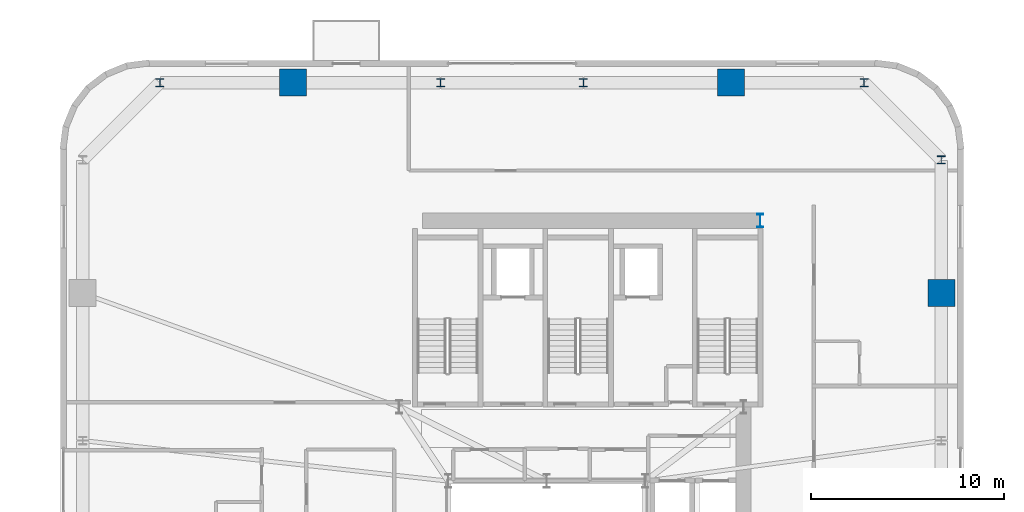
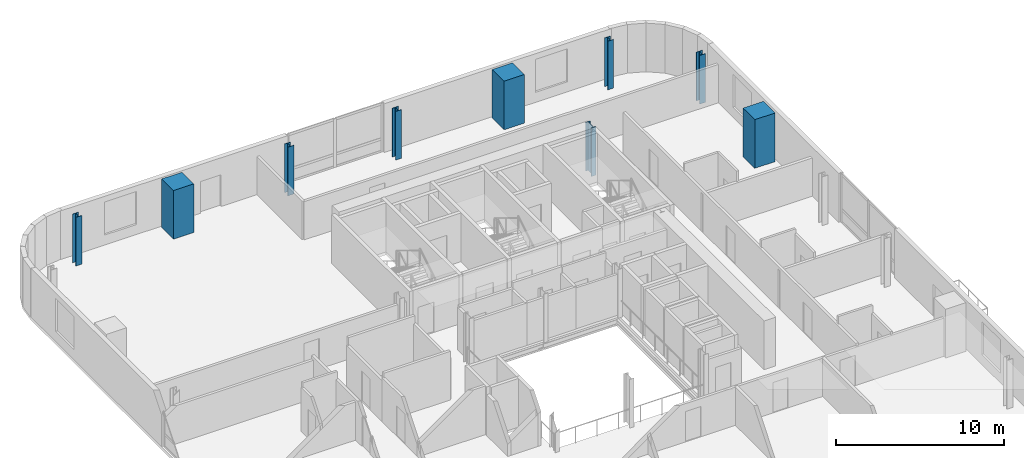
# One storey, part 2 of 15: 9 columns.
"""IFC4 building model written with IfcOpenShell, lengths in metres."""

from ifc_helpers import new_model, si_unit, direction, frame, origin, origin_2d, place, context, subcontext, project, spatial, rectangle, i_section, extrude, source, transform, mapped, material, material_profile, profile_set, type_object, element, save


model = new_model("IFC4")

# Units and contexts
model_context = context("Model", 3, precision=1e-05, world=origin(), true_north=direction((0.0, 1.0)))
body_context = subcontext(model_context, "Body", "Model", "MODEL_VIEW")
ifc_project = project(units=[si_unit("LENGTHUNIT", "METRE"), si_unit("AREAUNIT", "SQUARE_METRE"), si_unit("VOLUMEUNIT", "CUBIC_METRE"), si_unit("PLANEANGLEUNIT", "RADIAN"), si_unit("MASSUNIT", "GRAM", prefix="KILO")], contexts=[model_context])

# Site, building, storey
site_placement = place(None, origin())
site = spatial("IfcSite", under=ifc_project, at=site_placement, CompositionType="ELEMENT")
building_placement = place(site_placement, origin())
building = spatial("IfcBuilding", under=site, at=building_placement, Name="Vardaveli Station Tower", CompositionType="ELEMENT")
storey_placement = place(building_placement, frame((0.0, 0.0, 207.300048828125)))
storey = spatial("IfcBuildingStorey", under=building, at=storey_placement, Name="L53", CompositionType="ELEMENT", Elevation=207.300048828125)

# Columns
ifc_material_1 = material(Name="Structural steel S460M", Category="steel")
ifc_material_profile_1 = material_profile(ifc_material_1, i_section(OverallWidth=0.300048828125, OverallDepth=0.699951171875, WebThickness=0.01708984375, FlangeThickness=0.031982421875, FilletRadius=0.027099609375, at=origin_2d()), Name="HEB 700")
ifc_profile_set_1 = profile_set([ifc_material_profile_1], Name="Structural steel S460M")
column_type_1 = type_object("IfcColumnType", Name="COL-HEB700", PredefinedType="COLUMN", material=ifc_profile_set_1)
shared_shape_1 = source(origin(), body_context, "Body", "SweptSolid", [
    extrude(i_section(OverallWidth=0.300048828125, OverallDepth=0.699951171875, WebThickness=0.01708984375, FlangeThickness=0.031982421875, FilletRadius=0.027099609375, at=origin_2d()), origin(), (0.0, 0.0, 1.0), 3.530029296875),
])
column_placement = place(storey_placement, frame((47.3701171875, 40.300048828125, 0.0), z_axis=(0.0, 0.0, 1.0), x_axis=(1.0, 0.0, 0.0)))
element("IfcColumn", 1, at=column_placement, inside=storey, type_object=column_type_1, Name="COL-L53-CC3", PredefinedType="COLUMN", context=body_context, shape_type="MappedRepresentation", body=[
    mapped(shared_shape_1, transform((0.0, 0.0, 0.0), scale=1.0)),
])
ifc_material_2 = material(Name="Concrete C50/60", Category="concrete")
ifc_material_profile_2 = material_profile(ifc_material_2, rectangle(XDim=1.39990234375, YDim=1.39990234375, at=origin_2d()), Name="MC 1400x1400")
ifc_profile_set_2 = profile_set([ifc_material_profile_2], Name="Concrete C50/60")
column_type_2 = type_object("IfcColumnType", Name="COL-MC-1400", PredefinedType="COLUMN", material=ifc_profile_set_2)
shared_shape_2 = source(origin(), body_context, "Body", "SweptSolid", [
    extrude(rectangle(XDim=1.39990234375, YDim=1.39990234375, at=origin_2d()), origin(), (0.0, 0.0, 1.0), 3.530029296875),
])
for number, where, z_axis, x_axis, name in (
    (2, (56.75, 36.5400390625, 0.0), (0.0, 0.0, 1.0), (1.0, 0.0, 0.0), "COL-L53-MC4"),
    (3, (45.840087890625, 47.449951171875, 0.0), (0.0, 0.0, 1.0), (1.0, 0.0, 0.0), "COL-L53-MC5"),
    (4, (23.159912109375, 47.449951171875, 0.0), (0.0, 0.0, 1.0), (1.0, 0.0, 0.0), "COL-L53-MC6"),
):
    element("IfcColumn", number, at=place(storey_placement, frame(where, z_axis=z_axis, x_axis=x_axis)), inside=storey, type_object=column_type_2, Name=name, PredefinedType="COLUMN", context=body_context, shape_type="MappedRepresentation", body=[
        mapped(shared_shape_2, transform((0.0, 0.0, 0.0), scale=1.0)),
    ])
ifc_material_profile_3 = material_profile(ifc_material_1, i_section(OverallWidth=0.408935546875, OverallDepth=0.4169921875, WebThickness=0.021240234375, FlangeThickness=0.033203125, FilletRadius=0.014892578125, at=origin_2d()), Name="HD 400x347")
ifc_profile_set_3 = profile_set([ifc_material_profile_3], Name="Structural steel S460M")
column_type_3 = type_object("IfcColumnType", Name="COL-HD347", PredefinedType="COLUMN", material=ifc_profile_set_3)
shared_shape_3 = source(origin(), body_context, "Body", "SweptSolid", [
    extrude(i_section(OverallWidth=0.408935546875, OverallDepth=0.4169921875, WebThickness=0.021240234375, FlangeThickness=0.033203125, FilletRadius=0.014892578125, at=origin_2d()), origin(), (0.0, 0.0, 1.0), 3.530029296875),
])
for number, where, z_axis, x_axis, name in (
    (5, (56.75, 43.449951171875, 0.0), (0.0, 0.0, 1.0), (1.0, 0.0, 0.0), "COL-L53-PC08"),
    (6, (52.75, 47.449951171875, 0.0), (0.0, 0.0, 1.0), (1.0, 0.0, 0.0), "COL-L53-PC09"),
    (7, (38.199951171875, 47.449951171875, 0.0), (0.0, 0.0, 1.0), (1.0, 0.0, 0.0), "COL-L53-PC10"),
    (8, (30.800048828125, 47.449951171875, 0.0), (0.0, 0.0, 1.0), (1.0, 0.0, 0.0), "COL-L53-PC11"),
    (9, (16.25, 47.449951171875, 0.0), (0.0, 0.0, 1.0), (1.0, 0.0, 0.0), "COL-L53-PC12"),
):
    element("IfcColumn", number, at=place(storey_placement, frame(where, z_axis=z_axis, x_axis=x_axis)), inside=storey, type_object=column_type_3, Name=name, PredefinedType="COLUMN", context=body_context, shape_type="MappedRepresentation", body=[
        mapped(shared_shape_3, transform((0.0, 0.0, 0.0), scale=1.0)),
    ])

save(model, "model.ifc")
